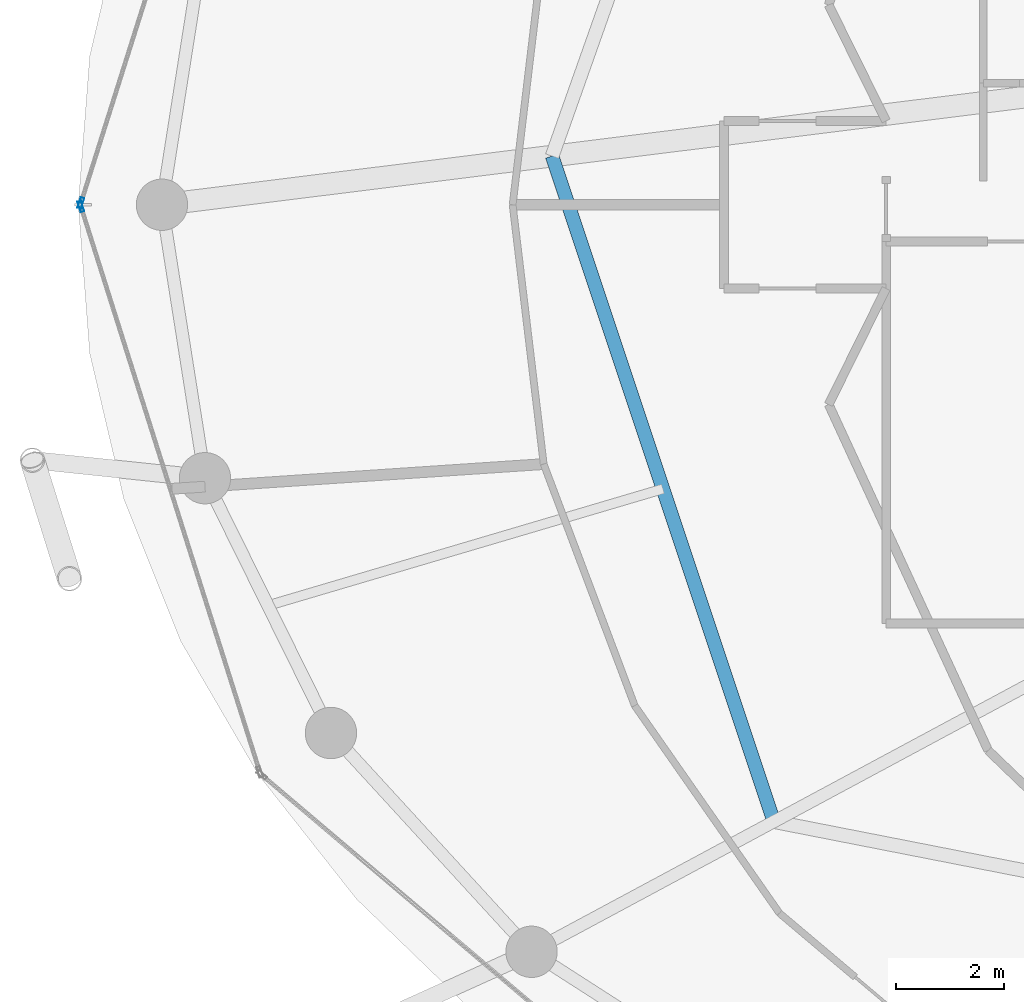
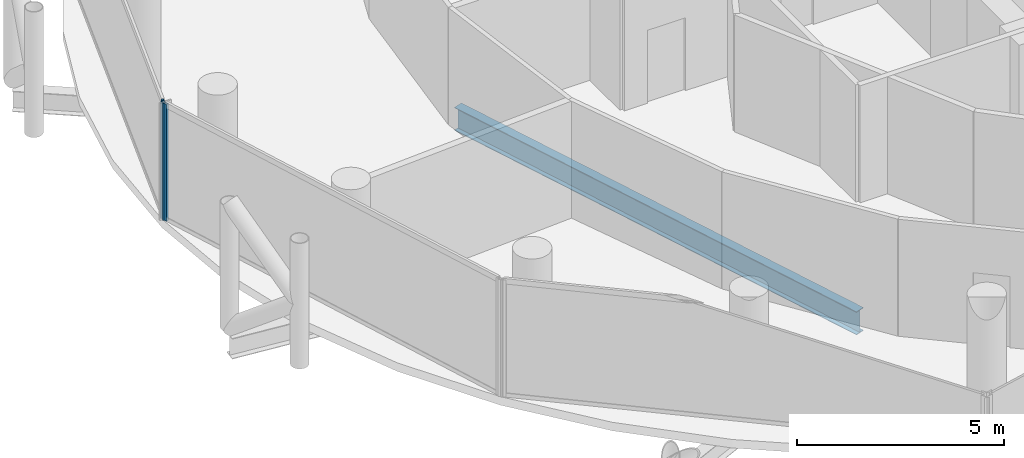
# One storey, part 6 of 27: 2 members, 1 beam, 2 elements without a shape of their own.
"""IFC4 building model written with IfcOpenShell, lengths in metres."""

from ifc_helpers import new_model, si_unit, direction, frame, origin, origin_2d, place, context, subcontext, project, spatial, hollow_rectangle, i_section, extrude, material, layer, layer_set, material_profile, profile_set, type_object, element, aggregate, save


model = new_model("IFC4")

# Units and contexts
model_context = context("Model", 3, precision=1e-05, world=origin(), true_north=direction((0.0, 1.0)))
body_context = subcontext(model_context, "Body", "Model", "MODEL_VIEW")
ifc_project = project(units=[si_unit("LENGTHUNIT", "METRE"), si_unit("AREAUNIT", "SQUARE_METRE"), si_unit("VOLUMEUNIT", "CUBIC_METRE"), si_unit("PLANEANGLEUNIT", "RADIAN"), si_unit("MASSUNIT", "GRAM", prefix="KILO")], contexts=[model_context])

# Site, building, storey
site_placement = place(None, origin())
site = spatial("IfcSite", under=ifc_project, at=site_placement, CompositionType="ELEMENT")
building_placement = place(site_placement, origin())
building = spatial("IfcBuilding", under=site, at=building_placement, Name="Nuhasar Tower", CompositionType="ELEMENT")
storey_placement = place(building_placement, frame((0.0, 0.0, 158.949951171875)))
storey = spatial("IfcBuildingStorey", under=building, at=storey_placement, Name="L38", CompositionType="ELEMENT", Elevation=158.949951171875)

# Beam
ifc_material_1 = material(Name="Steel S355", Category="steel")
ifc_material_profile_1 = material_profile(ifc_material_1, i_section(OverallWidth=0.25390625, OverallDepth=0.68408203125, WebThickness=0.012451171875, FlangeThickness=0.018798828125, at=origin_2d()), Name="W27X94")
ifc_profile_set_1 = profile_set([ifc_material_profile_1], Name="Steel S355")
beam_type = type_object("IfcBeamType", Name="BM-INRING-W27X94", PredefinedType="BEAM", material=ifc_profile_set_1)
beam_placement = place(storey_placement, frame((22.8701171875, 27.699951171875, -0.592041015625), z_axis=(0.31609797573, -0.948726551615, 0.0), x_axis=(0.948726551615, 0.31609797573, 0.0)))
element("IfcBeam", 1, at=beam_placement, inside=storey, type_object=beam_type, Name="L38 Inner Header Beam 08", PredefinedType="BEAM", context=body_context, shape_type="SweptSolid", body=[
    extrude(i_section(OverallWidth=0.25390625, OverallDepth=0.68408203125, WebThickness=0.012451171875, FlangeThickness=0.018798828125, at=origin_2d()), origin(), (0.0, 0.0, 1.0), 12.9794921875),
])

# Curtain wall, member
ifc_material_2 = material(Name="Aluminium 6063-T6", Category="aluminium")
ifc_layer = layer(ifc_material_2, 0.199951171875)
ifc_layer_set = layer_set([ifc_layer], Name="Aluminium 6063-T6")
curtain_wall_type = type_object("IfcCurtainWallType", Name="CW-Z2-HTL", PredefinedType="NOTDEFINED", material=ifc_layer_set)
curtain_wall_1_placement = place(storey_placement, origin())
curtain_wall_1 = element("IfcCurtainWall", 2, at=curtain_wall_1_placement, inside=storey, type_object=curtain_wall_type, Name="L38 Unitised Curtain Wall 06", PredefinedType="NOTDEFINED")
ifc_material_profile_2 = material_profile(ifc_material_2, hollow_rectangle(XDim=0.070068359375, YDim=0.199951171875, WallThickness=0.0048828125, at=origin_2d()), Name="CWM-3")
ifc_profile_set_2 = profile_set([ifc_material_profile_2], Name="Aluminium 6063-T6")
member_type = type_object("IfcMemberType", Name="CW-MUL-S3", PredefinedType="MULLION", material=ifc_profile_set_2)
member_1_placement = place(storey_placement, frame((14.150634765625, 26.833251953125, 0.0), z_axis=(0.0, 0.0, 1.0), x_axis=(0.953433389233, -0.301603667577, 0.0)))
member_1 = element("IfcMember", 3, at=member_1_placement, type_object=member_type, Name="CW-Z2 mullion 2", PredefinedType="MULLION", context=body_context, shape_type="SweptSolid", body=[
    extrude(hollow_rectangle(XDim=0.070068359375, YDim=0.199951171875, WallThickness=0.0048828125, at=origin_2d()), origin(), (0.0, 0.0, 1.0), 3.449951171875),
])
aggregate(curtain_wall_1, [member_1])

curtain_wall_2_placement = place(storey_placement, origin())
curtain_wall_2 = element("IfcCurtainWall", 4, at=curtain_wall_2_placement, inside=storey, type_object=curtain_wall_type, Name="L38 Unitised Curtain Wall 07", PredefinedType="NOTDEFINED")
member_2_placement = place(storey_placement, frame((14.150634765625, 26.7666015625, 0.0), z_axis=(0.0, 0.0, 1.0), x_axis=(0.953433389233, 0.301603667577, 0.0)))
member_2 = element("IfcMember", 5, at=member_2_placement, type_object=member_type, Name="CW-Z2 mullion 1", PredefinedType="MULLION", context=body_context, shape_type="SweptSolid", body=[
    extrude(hollow_rectangle(XDim=0.070068359375, YDim=0.199951171875, WallThickness=0.0048828125, at=origin_2d()), origin(), (0.0, 0.0, 1.0), 3.449951171875),
])
aggregate(curtain_wall_2, [member_2])

save(model, "model.ifc")
